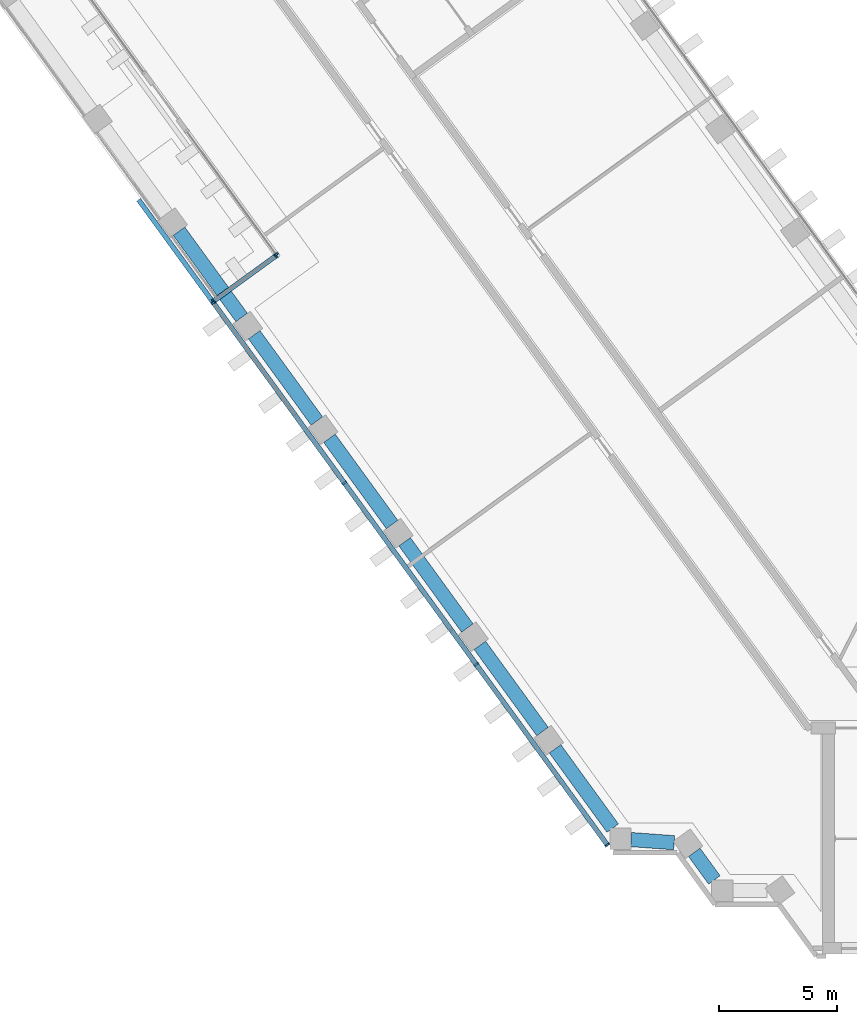
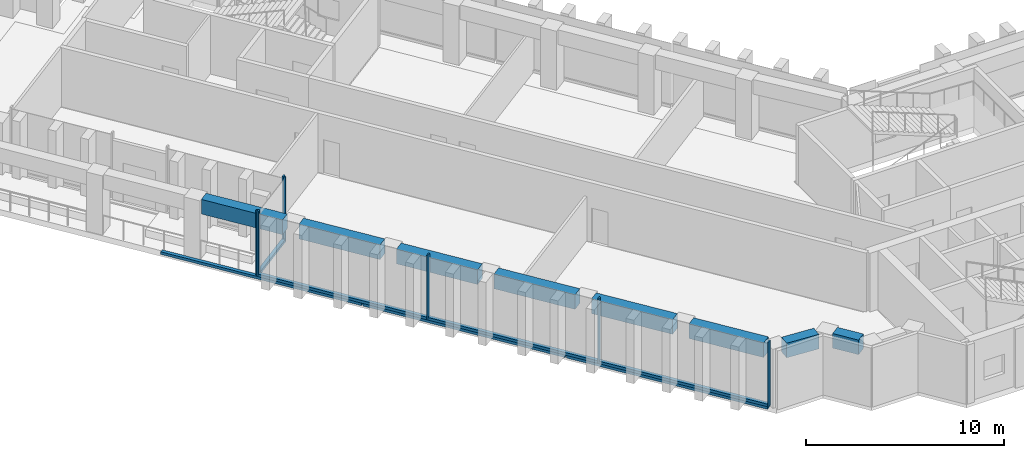
"""IFC4 building model written with IfcOpenShell, lengths in metres."""

from ifc_helpers import new_model, si_unit, direction, frame, origin, origin_2d, place, context, subcontext, project, spatial, rectangle, extrude, material, material_profile, profile_set, type_object, element, aggregate, save


model = new_model("IFC4")

# Units and contexts
model_context = context("Model", 3, precision=1e-05, world=origin(), true_north=direction((0.0, 1.0)))
body_context = subcontext(model_context, "Body", "Model", "MODEL_VIEW")
ifc_project = project(units=[si_unit("LENGTHUNIT", "METRE"), si_unit("AREAUNIT", "SQUARE_METRE"), si_unit("VOLUMEUNIT", "CUBIC_METRE"), si_unit("PLANEANGLEUNIT", "RADIAN"), si_unit("MASSUNIT", "GRAM", prefix="KILO")], contexts=[model_context])

# Site, building, storey
site_placement = place(None, origin())
site = spatial("IfcSite", under=ifc_project, at=site_placement, CompositionType="ELEMENT")
building_placement = place(site_placement, origin())
building = spatial("IfcBuilding", under=site, at=building_placement, Name="Quipu Civic Tower", CompositionType="ELEMENT")
storey_1_placement = place(building_placement, frame((0.0, 0.0, 39.0)))
storey_1 = spatial("IfcBuildingStorey", under=building, at=storey_1_placement, Name="L08", CompositionType="ELEMENT", Elevation=39.0)

# Curtain wall, member
ifc_material_1 = material(Name="Insulated glass unit", Category="glass")
curtain_wall_type = type_object("IfcCurtainWallType", Name="Office curtain wall CW1", PredefinedType="NOTDEFINED", material=ifc_material_1)
curtain_wall_1_placement = place(storey_1_placement, origin())
curtain_wall_1 = element("IfcCurtainWall", 1, at=curtain_wall_1_placement, inside=storey_1, type_object=curtain_wall_type, Name="Office curtain wall CW1 L08 run 4", PredefinedType="NOTDEFINED")
ifc_material_2 = material(Name="Anodised aluminium", Category="aluminium")
ifc_material_profile_1 = material_profile(ifc_material_2, rectangle(XDim=0.199951171875, YDim=0.080078125, at=origin_2d()), Name="RECT 200x80")
ifc_profile_set_1 = profile_set([ifc_material_profile_1], Name="Anodised aluminium")
member_type_1 = type_object("IfcMemberType", Name="Mullion CW1", PredefinedType="MULLION", material=ifc_profile_set_1)
member_1_placement = place(storey_1_placement, frame((-43.051025390625, 18.52978515625, 0.080078125), z_axis=(0.0, 0.0, 1.0), x_axis=(0.809020595861, 0.58778029524, 0.0)))
member_1 = element("IfcMember", 2, at=member_1_placement, type_object=member_type_1, Name="CW1 mullion 2", PredefinedType="MULLION", context=body_context, shape_type="SweptSolid", body=[
    extrude(rectangle(XDim=0.199951171875, YDim=0.080078125, at=origin_2d()), origin(), (0.0, 0.0, 1.0), 4.0),
])
aggregate(curtain_wall_1, [member_1])

# Curtain wall, members
curtain_wall_2_placement = place(storey_1_placement, origin())
curtain_wall_2 = element("IfcCurtainWall", 3, at=curtain_wall_2_placement, inside=storey_1, type_object=curtain_wall_type, Name="Office curtain wall CW1 L08 run 5", PredefinedType="NOTDEFINED")
member_2_placement = place(storey_1_placement, frame((-43.06005859375, 18.473876953125, 0.080078125), z_axis=(0.0, 0.0, 1.0), x_axis=(0.587792768264, -0.809011533649, 0.0)))
member_2 = element("IfcMember", 4, at=member_2_placement, type_object=member_type_1, Name="CW1 mullion 1", PredefinedType="MULLION", context=body_context, shape_type="SweptSolid", body=[
    extrude(rectangle(XDim=0.199951171875, YDim=0.080078125, at=origin_2d()), origin(), (0.0, 0.0, 1.0), 4.0),
])
member_3_placement = place(storey_1_placement, frame((-45.69970703125, 16.555908203125, 0.080078125), z_axis=(0.0, 0.0, 1.0), x_axis=(0.587792768264, -0.809011533649, 0.0)))
member_3 = element("IfcMember", 5, at=member_3_placement, type_object=member_type_1, Name="CW1 mullion 2", PredefinedType="MULLION", context=body_context, shape_type="SweptSolid", body=[
    extrude(rectangle(XDim=0.199951171875, YDim=0.080078125, at=origin_2d()), origin(), (0.0, 0.0, 1.0), 4.0),
])

curtain_wall_3_placement = place(storey_1_placement, origin())
curtain_wall_3 = element("IfcCurtainWall", 6, at=curtain_wall_3_placement, inside=storey_1, type_object=curtain_wall_type, Name="Office curtain wall CW1 L08 run 6", PredefinedType="NOTDEFINED")
member_4_placement = place(storey_1_placement, frame((-45.70849609375, 16.500244140625, 0.080078125), z_axis=(0.0, 0.0, 1.0), x_axis=(0.809015989187, 0.587786635813, 0.0)))
member_4 = element("IfcMember", 7, at=member_4_placement, type_object=member_type_1, Name="CW1 mullion 1", PredefinedType="MULLION", context=body_context, shape_type="SweptSolid", body=[
    extrude(rectangle(XDim=0.199951171875, YDim=0.080078125, at=origin_2d()), origin(), (0.0, 0.0, 1.0), 4.0),
])
member_5_placement = place(storey_1_placement, frame((-40.17333984375, 8.881591796875, 0.080078125), z_axis=(0.0, 0.0, 1.0), x_axis=(0.809015989187, 0.587786635813, 0.0)))
member_5 = element("IfcMember", 8, at=member_5_placement, type_object=member_type_1, Name="CW1 mullion 2", PredefinedType="MULLION", context=body_context, shape_type="SweptSolid", body=[
    extrude(rectangle(XDim=0.199951171875, YDim=0.080078125, at=origin_2d()), origin(), (0.0, 0.0, 1.0), 4.0),
])
member_6_placement = place(storey_1_placement, frame((-34.614501953125, 1.230712890625, 0.080078125), z_axis=(0.0, 0.0, 1.0), x_axis=(0.809015989187, 0.587786635813, 0.0)))
member_6 = element("IfcMember", 9, at=member_6_placement, type_object=member_type_1, Name="CW1 mullion 3", PredefinedType="MULLION", context=body_context, shape_type="SweptSolid", body=[
    extrude(rectangle(XDim=0.199951171875, YDim=0.080078125, at=origin_2d()), origin(), (0.0, 0.0, 1.0), 4.0),
])
member_7_placement = place(storey_1_placement, frame((-29.079345703125, -6.3876953125, 0.080078125), z_axis=(0.0, 0.0, 1.0), x_axis=(0.809015989187, 0.587786635813, 0.0)))
member_7 = element("IfcMember", 10, at=member_7_placement, type_object=member_type_1, Name="CW1 mullion 4", PredefinedType="MULLION", context=body_context, shape_type="SweptSolid", body=[
    extrude(rectangle(XDim=0.199951171875, YDim=0.080078125, at=origin_2d()), origin(), (0.0, 0.0, 1.0), 4.0),
])

# Beams
ifc_material_3 = material(Name="Concrete C50/60", Category="concrete")
ifc_material_profile_2 = material_profile(ifc_material_3, rectangle(XDim=0.60009765625, YDim=0.89990234375, at=origin_2d()), Name="RC600x900")
ifc_profile_set_2 = profile_set([ifc_material_profile_2], Name="Concrete C50/60")
beam_type = type_object("IfcBeamType", Name="Spandrel beam RC 600x900 C50/60", PredefinedType="SPANDREL", material=ifc_profile_set_2)
beam_1_placement = place(storey_1_placement, frame((-47.15380859375, 19.5107421875, 3.199951171875), z_axis=(0.587803872688, -0.809003465539, 0.0), x_axis=(0.809003465539, 0.587803872688, 0.0)))
element("IfcBeam", 11, at=beam_1_placement, inside=storey_1, type_object=beam_type, Name="Spandrel beam L08 W-OUT-06 to W-OUT-05", PredefinedType="SPANDREL", context=body_context, shape_type="SweptSolid", body=[
    extrude(rectangle(XDim=0.60009765625, YDim=0.89990234375, at=origin_2d()), origin(), (0.0, 0.0, 1.0), 4.499755859375),
])
for number, where, z_axis, x_axis, name in (
    (12, (-43.97998046875, 15.14208984375, 3.199951171875), (0.587778073121, -0.809022210299, 0.0), (0.809022210299, 0.587778073121, 0.0), "Spandrel beam L08 W-OUT-05 to W-OUT-04"),
    (13, (-40.805908203125, 10.7734375, 3.199951171875), (0.587778073121, -0.809022210299, 0.0), (0.809022210299, 0.587778073121, 0.0), "Spandrel beam L08 W-OUT-04 to W-OUT-03"),
):
    element("IfcBeam", number, at=place(storey_1_placement, frame(where, z_axis=z_axis, x_axis=x_axis)), inside=storey_1, type_object=beam_type, Name=name, PredefinedType="SPANDREL", context=body_context, shape_type="SweptSolid", body=[
        extrude(rectangle(XDim=0.60009765625, YDim=0.89990234375, at=origin_2d()), origin(), (0.0, 0.0, 1.0), 4.5),
    ])
beam_2_placement = place(storey_1_placement, frame((-37.6318359375, 6.404541015625, 3.199951171875), z_axis=(0.587803872688, -0.809003465539, 0.0), x_axis=(0.809003465539, 0.587803872688, 0.0)))
element("IfcBeam", 14, at=beam_2_placement, inside=storey_1, type_object=beam_type, Name="Spandrel beam L08 W-OUT-03 to W-OUT-02", PredefinedType="SPANDREL", context=body_context, shape_type="SweptSolid", body=[
    extrude(rectangle(XDim=0.60009765625, YDim=0.89990234375, at=origin_2d()), origin(), (0.0, 0.0, 1.0), 4.499755859375),
])
beam_3_placement = place(storey_1_placement, frame((-34.457763671875, 2.035888671875, 3.199951171875), z_axis=(0.587778073121, -0.809022210299, 0.0), x_axis=(0.809022210299, 0.587778073121, 0.0)))
element("IfcBeam", 15, at=beam_3_placement, inside=storey_1, type_object=beam_type, Name="Spandrel beam L08 W-OUT-02 to W-OUT-01", PredefinedType="SPANDREL", context=body_context, shape_type="SweptSolid", body=[
    extrude(rectangle(XDim=0.60009765625, YDim=0.89990234375, at=origin_2d()), origin(), (0.0, 0.0, 1.0), 4.5),
])
beam_4_placement = place(storey_1_placement, frame((-31.28369140625, -2.332763671875, 3.199951171875), z_axis=(0.587750565781, -0.809042194464, 0.0), x_axis=(0.809042194464, 0.587750565781, 0.0)))
element("IfcBeam", 16, at=beam_4_placement, inside=storey_1, type_object=beam_type, Name="Spandrel beam L08 W-OUT-01 to J-Wo.0", PredefinedType="SPANDREL", context=body_context, shape_type="SweptSolid", body=[
    extrude(rectangle(XDim=0.60009765625, YDim=0.89990234375, at=origin_2d()), origin(), (0.0, 0.0, 1.0), 4.13720703125),
])
beam_5_placement = place(storey_1_placement, frame((-28.074951171875, -6.16259765625, 3.199951171875), z_axis=(0.997367229877, -0.072516265536, 0.0), x_axis=(0.072516265536, 0.997367229877, 0.0)))
element("IfcBeam", 17, at=beam_5_placement, inside=storey_1, type_object=beam_type, Name="Spandrel beam L08 J-Wo.0 to J-Wo.1", PredefinedType="SPANDREL", context=body_context, shape_type="SweptSolid", body=[
    extrude(rectangle(XDim=0.60009765625, YDim=0.89990234375, at=origin_2d()), origin(), (0.0, 0.0, 1.0), 1.818115234375),
])
beam_6_placement = place(storey_1_placement, frame((-25.40966796875, -6.700927734375, 3.199951171875), z_axis=(0.588433824377, -0.808545381738, 0.0), x_axis=(0.808545381738, 0.588433824377, 0.0)))
element("IfcBeam", 18, at=beam_6_placement, inside=storey_1, type_object=beam_type, Name="Spandrel beam L08 J-Wo.1 to J-Wo.2", PredefinedType="SPANDREL", context=body_context, shape_type="SweptSolid", body=[
    extrude(rectangle(XDim=0.60009765625, YDim=0.89990234375, at=origin_2d()), origin(), (0.0, 0.0, 1.0), 1.439697265625),
])

# Storey
storey_2_placement = place(building_placement, frame((0.0, 0.0, 35.0)))
storey_2 = spatial("IfcBuildingStorey", under=building, at=storey_2_placement, Name="L07", CompositionType="ELEMENT", Elevation=35.0)

# Curtain wall, members
curtain_wall_4_placement = place(storey_2_placement, origin())
curtain_wall_4 = element("IfcCurtainWall", 19, at=curtain_wall_4_placement, inside=storey_2, type_object=curtain_wall_type, Name="Office curtain wall CW1 L07 run 7", PredefinedType="NOTDEFINED")
ifc_material_4 = material(Name="Anodised aluminium", Category="aluminium")
ifc_material_profile_3 = material_profile(ifc_material_4, rectangle(XDim=0.199951171875, YDim=0.159912109375, at=origin_2d()), Name="RECT 200x160")
ifc_profile_set_3 = profile_set([ifc_material_profile_3], Name="Anodised aluminium")
member_type_2 = type_object("IfcMemberType", Name="Transom CW1", PredefinedType="USERDEFINED", material=ifc_profile_set_3)
member_8_placement = place(storey_1_placement, frame((-48.85888671875, 20.83642578125, 0.0), z_axis=(0.587784506259, -0.8090175364, 0.0), x_axis=(0.8090175364, 0.587784506259, 0.0)))
member_8 = element("IfcMember", 20, at=member_8_placement, inside=storey_1, type_object=member_type_2, Name="CW1 transom 1.2", ObjectType="TRANSOM", PredefinedType="USERDEFINED", context=body_context, shape_type="SweptSolid", body=[
    extrude(rectangle(XDim=0.199951171875, YDim=0.159912109375, at=origin_2d()), origin(), (0.0, 0.0, 1.0), 11.136962890625),
])
member_9_placement = place(storey_1_placement, frame((-42.265869140625, 11.76171875, 0.0), z_axis=(0.587800183372, -0.8090061461, 0.0), x_axis=(0.8090061461, 0.587800183372, 0.0)))
member_9 = element("IfcMember", 21, at=member_9_placement, inside=storey_1, type_object=member_type_2, Name="CW1 transom 2.2", ObjectType="TRANSOM", PredefinedType="USERDEFINED", context=body_context, shape_type="SweptSolid", body=[
    extrude(rectangle(XDim=0.199951171875, YDim=0.159912109375, at=origin_2d()), origin(), (0.0, 0.0, 1.0), 11.177001953125),
])
member_10_placement = place(storey_1_placement, frame((-35.649169921875, 2.654541015625, 0.0), z_axis=(0.587784506259, -0.8090175364, 0.0), x_axis=(0.8090175364, 0.587784506259, 0.0)))
member_10 = element("IfcMember", 22, at=member_10_placement, inside=storey_1, type_object=member_type_2, Name="CW1 transom 3.2", ObjectType="TRANSOM", PredefinedType="USERDEFINED", context=body_context, shape_type="SweptSolid", body=[
    extrude(rectangle(XDim=0.199951171875, YDim=0.159912109375, at=origin_2d()), origin(), (0.0, 0.0, 1.0), 11.136962890625),
])
aggregate(curtain_wall_4, [member_8, member_9, member_10])

# Member
member_11_placement = place(storey_1_placement, frame((-43.09228515625, 18.450439453125, 0.159912109375), z_axis=(-0.809011305713, -0.587793081984, 0.0), x_axis=(0.587793081984, -0.809011305713, 0.0)))
member_11 = element("IfcMember", 23, at=member_11_placement, type_object=member_type_2, Name="CW1 transom 1.1", ObjectType="TRANSOM", PredefinedType="USERDEFINED", context=body_context, shape_type="SweptSolid", body=[
    extrude(rectangle(XDim=0.199951171875, YDim=0.159912109375, at=origin_2d()), origin(), (0.0, 0.0, 1.0), 3.182861328125),
])

aggregate(curtain_wall_2, [member_2, member_3, member_11])

member_12_placement = place(storey_1_placement, frame((-45.68505859375, 16.4677734375, 0.159912109375), z_axis=(0.587798501466, -0.809007368121, 0.0), x_axis=(0.809007368121, 0.587798501466, 0.0)))
member_12 = element("IfcMember", 24, at=member_12_placement, type_object=member_type_2, Name="CW1 transom 1.1", ObjectType="TRANSOM", PredefinedType="USERDEFINED", context=body_context, shape_type="SweptSolid", body=[
    extrude(rectangle(XDim=0.199951171875, YDim=0.159912109375, at=origin_2d()), origin(), (0.0, 0.0, 1.0), 9.3369140625),
])

member_13_placement = place(storey_1_placement, frame((-40.14990234375, 8.849365234375, 0.159912109375), z_axis=(0.587787706623, -0.809015211194, 0.0), x_axis=(0.809015211194, 0.587787706623, 0.0)))
member_13 = element("IfcMember", 25, at=member_13_placement, type_object=member_type_2, Name="CW1 transom 2.1", ObjectType="TRANSOM", PredefinedType="USERDEFINED", context=body_context, shape_type="SweptSolid", body=[
    extrude(rectangle(XDim=0.199951171875, YDim=0.159912109375, at=origin_2d()), origin(), (0.0, 0.0, 1.0), 9.376953125),
])

member_14_placement = place(storey_1_placement, frame((-34.591064453125, 1.198486328125, 0.159912109375), z_axis=(0.587768953748, -0.80902883571, 0.0), x_axis=(0.80902883571, 0.587768953748, 0.0)))
member_14 = element("IfcMember", 26, at=member_14_placement, type_object=member_type_2, Name="CW1 transom 3.1", ObjectType="TRANSOM", PredefinedType="USERDEFINED", context=body_context, shape_type="SweptSolid", body=[
    extrude(rectangle(XDim=0.199951171875, YDim=0.159912109375, at=origin_2d()), origin(), (0.0, 0.0, 1.0), 9.337158203125),
])

aggregate(curtain_wall_3, [member_4, member_5, member_6, member_7, member_12, member_13, member_14])

save(model, "model.ifc")
